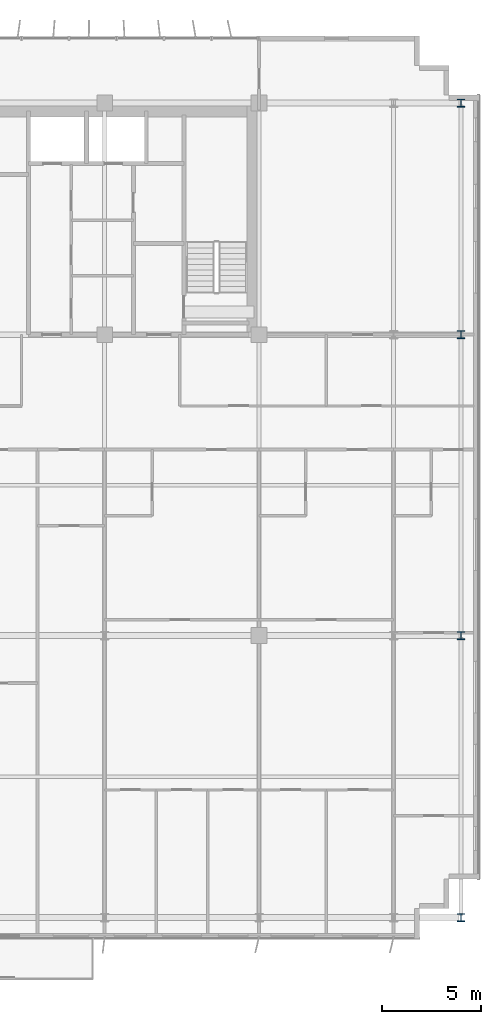
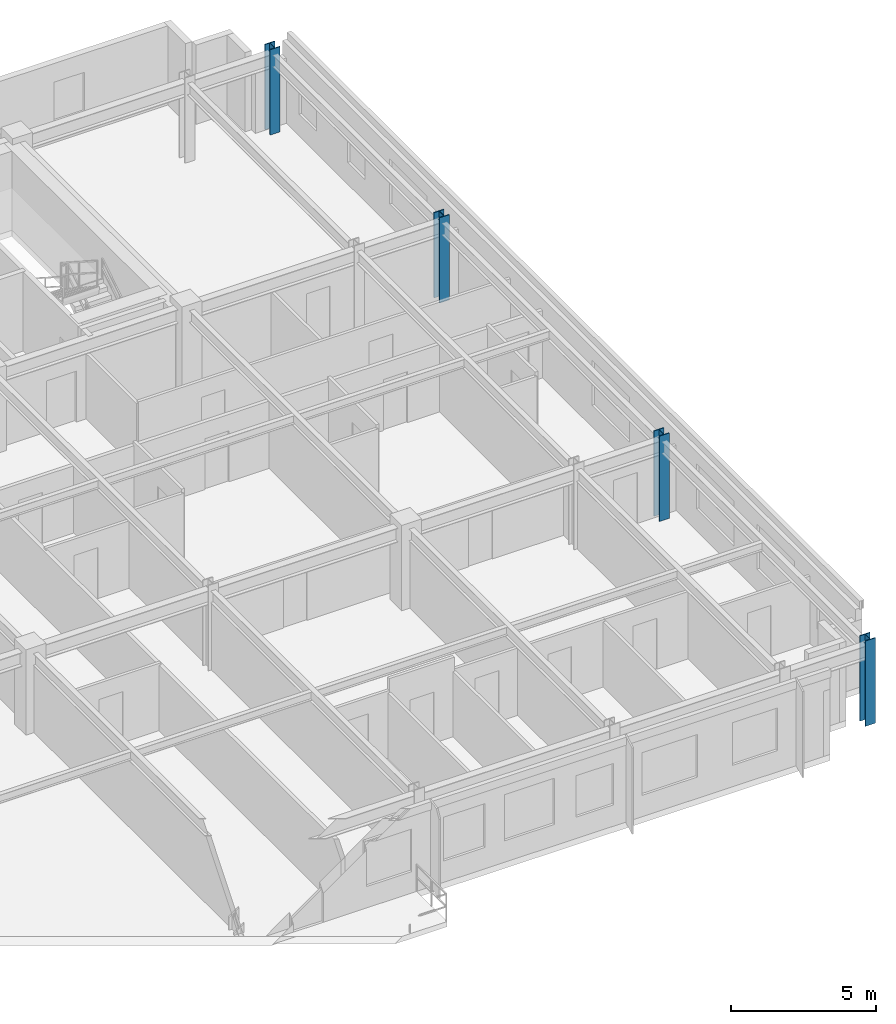
# One storey, part 3 of 22: 4 columns.
"""IFC4 building model written with IfcOpenShell, lengths in metres."""

from ifc_helpers import new_model, si_unit, direction, frame, origin, origin_2d, place, context, subcontext, project, spatial, i_section, extrude, source, transform, mapped, material, material_profile, profile_set, type_object, element, save


model = new_model("IFC4")

# Units and contexts
model_context = context("Model", 3, precision=1e-05, world=origin(), true_north=direction((0.0, 1.0)))
body_context = subcontext(model_context, "Body", "Model", "MODEL_VIEW")
ifc_project = project(units=[si_unit("LENGTHUNIT", "METRE"), si_unit("AREAUNIT", "SQUARE_METRE"), si_unit("VOLUMEUNIT", "CUBIC_METRE"), si_unit("PLANEANGLEUNIT", "RADIAN"), si_unit("MASSUNIT", "GRAM", prefix="KILO")], contexts=[model_context])

# Site, building, storey
site_placement = place(None, origin())
site = spatial("IfcSite", under=ifc_project, at=site_placement, CompositionType="ELEMENT")
building_placement = place(site_placement, origin())
building = spatial("IfcBuilding", under=site, at=building_placement, Name="Trelvane Seafront Commons", CompositionType="ELEMENT")
storey_placement = place(building_placement, frame((0.0, 0.0, 96.10009765625)))
storey = spatial("IfcBuildingStorey", under=building, at=storey_placement, Name="L24", CompositionType="ELEMENT", Elevation=96.10009765625)

# Columns
ifc_material = material(Name="Steel SM355 (S355)", Category="steel")
ifc_material_profile = material_profile(ifc_material, i_section(OverallWidth=0.39990234375, OverallDepth=0.39990234375, WebThickness=0.02197265625, FlangeThickness=0.034912109375, at=origin_2d()), Name="HD-400x400x22x35")
ifc_profile_set = profile_set([ifc_material_profile], Name="Steel SM355 (S355)")
column_type = type_object("IfcColumnType", Name="STR-COL-HD400", PredefinedType="COLUMN", material=ifc_profile_set)
shared_shape = source(origin(), body_context, "Body", "SweptSolid", [
    extrude(i_section(OverallWidth=0.39990234375, OverallDepth=0.39990234375, WebThickness=0.02197265625, FlangeThickness=0.034912109375, at=origin_2d()), origin(), (0.0, 0.0, 1.0), 3.599853515625),
])
for number, where, z_axis, x_axis, name in (
    (1, (69.0, 3.949951171875, 0.0), (0.0, 0.0, 1.0), (1.0, 0.0, 0.0), "L24 Column TC-S69.0"),
    (2, (69.0, 18.199951171875, 0.0), (0.0, 0.0, 1.0), (1.0, 0.0, 0.0), "L24 Column TC-M69.0"),
    (3, (69.0, 33.39990234375, 0.0), (0.0, 0.0, 1.0), (1.0, 0.0, 0.0), "L24 Column TC-CS69.0"),
    (4, (69.0, 45.10009765625, 0.0), (0.0, 0.0, 1.0), (1.0, 0.0, 0.0), "L24 Column TC-CN69.0"),
):
    element("IfcColumn", number, at=place(storey_placement, frame(where, z_axis=z_axis, x_axis=x_axis)), inside=storey, type_object=column_type, Name=name, PredefinedType="COLUMN", context=body_context, shape_type="MappedRepresentation", body=[
        mapped(shared_shape, transform((0.0, 0.0, 0.0), x_axis=(1.0, 0.0, 0.0), y_axis=(0.0, 1.0, 0.0), z_axis=(0.0, 0.0, 1.0), scale=1.0)),
    ])

save(model, "model.ifc")
